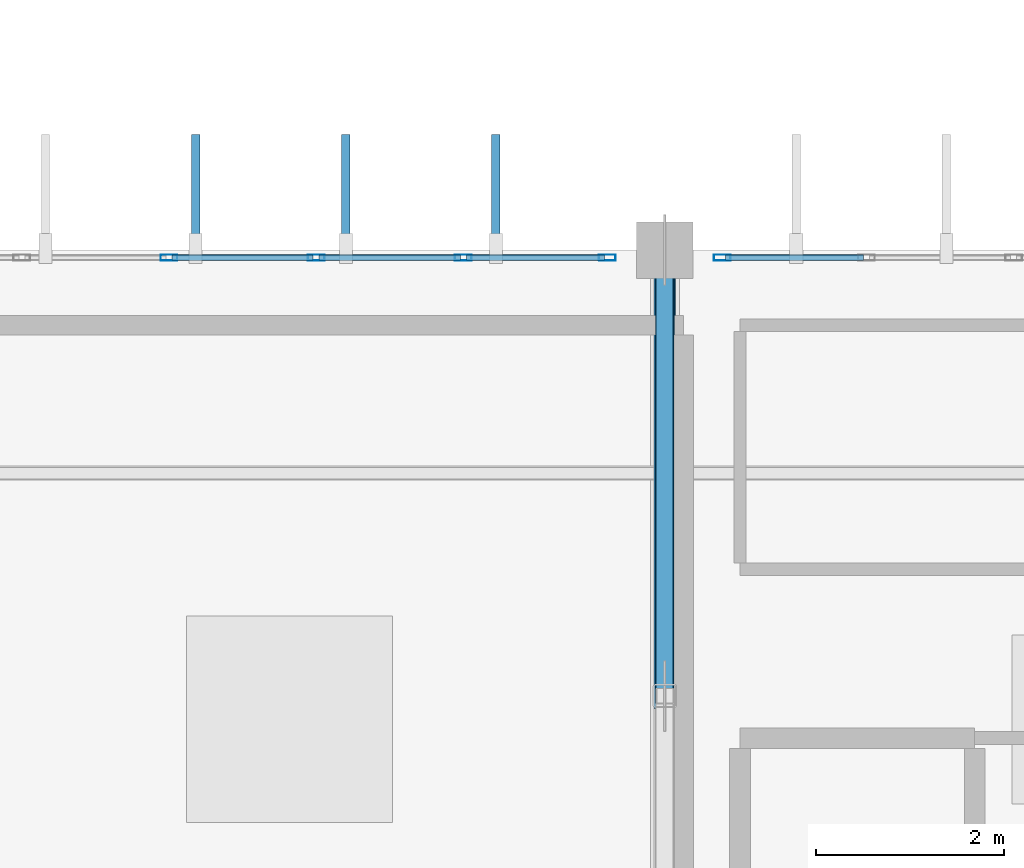
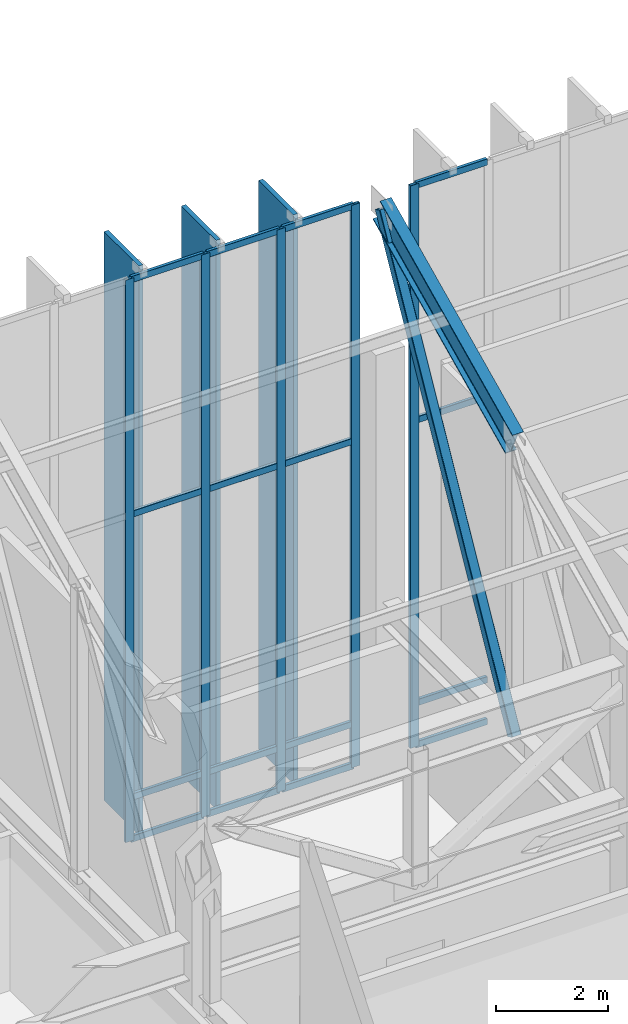
# One storey, part 35 of 68: 25 members, 1 beam, 2 elements without a shape of their own.
"""IFC4 building model written with IfcOpenShell, lengths in metres."""

from ifc_helpers import new_model, si_unit, direction, frame, origin, origin_2d, place, context, subcontext, project, spatial, rectangle, hollow_rectangle, i_section, extrude, material, material_profile, profile_set, type_object, element, aggregate, save


model = new_model("IFC4")

# Units and contexts
model_context = context("Model", 3, precision=1e-05, world=origin(), true_north=direction((0.0, 1.0)))
body_context = subcontext(model_context, "Body", "Model", "MODEL_VIEW")
ifc_project = project(units=[si_unit("LENGTHUNIT", "METRE"), si_unit("AREAUNIT", "SQUARE_METRE"), si_unit("VOLUMEUNIT", "CUBIC_METRE"), si_unit("PLANEANGLEUNIT", "RADIAN"), si_unit("MASSUNIT", "GRAM", prefix="KILO")], contexts=[model_context])

# Site, building, storey
site_placement = place(None, origin())
site = spatial("IfcSite", under=ifc_project, at=site_placement, CompositionType="ELEMENT")
building_placement = place(site_placement, origin())
building = spatial("IfcBuilding", under=site, at=building_placement, Name="Miravela Opera House", CompositionType="ELEMENT")
storey_placement = place(building_placement, frame((0.0, 0.0, 21.760009765625)))
storey = spatial("IfcBuildingStorey", under=building, at=storey_placement, Name="L05", CompositionType="ELEMENT", Elevation=21.760009765625)

# Curtain wall, members
ifc_material_1 = material(Name="Anodised architectural bronze aluminium 6063-T6", Category="aluminium")
curtain_wall_type = type_object("IfcCurtainWallType", Name="ARC-CW-03", PredefinedType="NOTDEFINED", material=ifc_material_1)
curtain_wall_1_placement = place(storey_placement, origin())
curtain_wall_1 = element("IfcCurtainWall", 1, at=curtain_wall_1_placement, inside=storey, type_object=curtain_wall_type, Name="Auditorium North Wrapper Glazing CW-L05-059", PredefinedType="NOTDEFINED")
ifc_material_profile_1 = material_profile(ifc_material_1, hollow_rectangle(XDim=0.06494140625, YDim=0.179931640625, WallThickness=0.00390625, InnerFilletRadius=0.001953125, OuterFilletRadius=0.00390625, at=origin_2d()), Name="CWM-65X180")
ifc_profile_set_1 = profile_set([ifc_material_profile_1])
member_type_1 = type_object("IfcMemberType", Name="ARC-CWM-180", PredefinedType="MULLION", material=ifc_profile_set_1)
member_1_placement = place(storey_placement, frame((30.716064453125, 74.919921875, 0.0), z_axis=(0.0, 0.0, 1.0), x_axis=(0.0, 1.0, 0.0)))
member_1 = element("IfcMember", 2, at=member_1_placement, type_object=member_type_1, Name="CW-03 mullion 3", PredefinedType="MULLION", context=body_context, shape_type="SweptSolid", body=[
    extrude(hollow_rectangle(XDim=0.06494140625, YDim=0.179931640625, WallThickness=0.00390625, InnerFilletRadius=0.001953125, OuterFilletRadius=0.00390625, at=origin_2d()), origin(), (0.0, 0.0, 1.0), 12.31005859375),
])
member_2_placement = place(storey_placement, frame((32.283935546875, 74.919921875, 0.0), z_axis=(0.0, 0.0, 1.0), x_axis=(0.0, 1.0, 0.0)))
member_2 = element("IfcMember", 3, at=member_2_placement, type_object=member_type_1, Name="CW-03 mullion 4", PredefinedType="MULLION", context=body_context, shape_type="SweptSolid", body=[
    extrude(hollow_rectangle(XDim=0.06494140625, YDim=0.179931640625, WallThickness=0.00390625, InnerFilletRadius=0.001953125, OuterFilletRadius=0.00390625, at=origin_2d()), origin(), (0.0, 0.0, 1.0), 12.31005859375),
])
member_3_placement = place(storey_placement, frame((33.85205078125, 74.919921875, 0.0), z_axis=(0.0, 0.0, 1.0), x_axis=(0.0, 1.0, 0.0)))
member_3 = element("IfcMember", 4, at=member_3_placement, type_object=member_type_1, Name="CW-03 mullion 5", PredefinedType="MULLION", context=body_context, shape_type="SweptSolid", body=[
    extrude(hollow_rectangle(XDim=0.06494140625, YDim=0.179931640625, WallThickness=0.00390625, InnerFilletRadius=0.001953125, OuterFilletRadius=0.00390625, at=origin_2d()), origin(), (0.0, 0.0, 1.0), 12.31005859375),
])
member_4_placement = place(storey_placement, frame((35.387451171875, 74.919921875, 0.0), z_axis=(0.0, 0.0, 1.0), x_axis=(0.0, 1.0, 0.0)))
member_4 = element("IfcMember", 5, at=member_4_placement, type_object=member_type_1, Name="CW-03 mullion 6", PredefinedType="MULLION", context=body_context, shape_type="SweptSolid", body=[
    extrude(hollow_rectangle(XDim=0.06494140625, YDim=0.179931640625, WallThickness=0.00390625, InnerFilletRadius=0.001953125, OuterFilletRadius=0.00390625, at=origin_2d()), origin(), (0.0, 0.0, 1.0), 12.31005859375),
])

# Curtain wall, member
curtain_wall_2_placement = place(storey_placement, origin())
curtain_wall_2 = element("IfcCurtainWall", 6, at=curtain_wall_2_placement, inside=storey, type_object=curtain_wall_type, Name="Auditorium North Wrapper Glazing CW-L05-061", PredefinedType="NOTDEFINED")
member_5_placement = place(storey_placement, frame((36.612548828125, 74.919921875, 0.0), z_axis=(0.0, 0.0, 1.0), x_axis=(0.0, 1.0, 0.0)))
member_5 = element("IfcMember", 7, at=member_5_placement, type_object=member_type_1, Name="CW-03 mullion 1", PredefinedType="MULLION", context=body_context, shape_type="SweptSolid", body=[
    extrude(hollow_rectangle(XDim=0.06494140625, YDim=0.179931640625, WallThickness=0.00390625, InnerFilletRadius=0.001953125, OuterFilletRadius=0.00390625, at=origin_2d()), origin(), (0.0, 0.0, 1.0), 12.31005859375),
])

# Member
ifc_material_profile_2 = material_profile(ifc_material_1, hollow_rectangle(XDim=0.06494140625, YDim=0.139892578125, WallThickness=0.00390625, InnerFilletRadius=0.001953125, OuterFilletRadius=0.00390625, at=origin_2d()), Name="CWT-65X140")
ifc_profile_set_2 = profile_set([ifc_material_profile_2])
member_type_2 = type_object("IfcMemberType", Name="ARC-CWT-140", PredefinedType="USERDEFINED", material=ifc_profile_set_2)
member_6_placement = place(storey_placement, frame((30.74853515625, 74.919921875, 0.032470703125), z_axis=(1.0, 0.0, 0.0), x_axis=(0.0, 1.0, 0.0)))
member_6 = element("IfcMember", 8, at=member_6_placement, type_object=member_type_2, Name="CW-03 transom 3.1", ObjectType="TRANSOM", PredefinedType="USERDEFINED", context=body_context, shape_type="SweptSolid", body=[
    extrude(hollow_rectangle(XDim=0.06494140625, YDim=0.139892578125, WallThickness=0.00390625, InnerFilletRadius=0.001953125, OuterFilletRadius=0.00390625, at=origin_2d()), origin(), (0.0, 0.0, 1.0), 1.5029296875),
])

member_7_placement = place(storey_placement, frame((30.74853515625, 74.919921875, 0.949951171875), z_axis=(1.0, 0.0, 0.0), x_axis=(0.0, 1.0, 0.0)))
member_7 = element("IfcMember", 9, at=member_7_placement, type_object=member_type_2, Name="CW-03 transom 3.2", ObjectType="TRANSOM", PredefinedType="USERDEFINED", context=body_context, shape_type="SweptSolid", body=[
    extrude(hollow_rectangle(XDim=0.06494140625, YDim=0.139892578125, WallThickness=0.00390625, InnerFilletRadius=0.001953125, OuterFilletRadius=0.00390625, at=origin_2d()), origin(), (0.0, 0.0, 1.0), 1.5029296875),
])

member_8_placement = place(storey_placement, frame((30.74853515625, 74.919921875, 7.139892578125), z_axis=(1.0, 0.0, 0.0), x_axis=(0.0, 1.0, 0.0)))
member_8 = element("IfcMember", 10, at=member_8_placement, type_object=member_type_2, Name="CW-03 transom 3.3", ObjectType="TRANSOM", PredefinedType="USERDEFINED", context=body_context, shape_type="SweptSolid", body=[
    extrude(hollow_rectangle(XDim=0.06494140625, YDim=0.139892578125, WallThickness=0.00390625, InnerFilletRadius=0.001953125, OuterFilletRadius=0.00390625, at=origin_2d()), origin(), (0.0, 0.0, 1.0), 1.5029296875),
])

member_9_placement = place(storey_placement, frame((30.74853515625, 74.919921875, 12.277587890625), z_axis=(1.0, 0.0, 0.0), x_axis=(0.0, 1.0, 0.0)))
member_9 = element("IfcMember", 11, at=member_9_placement, type_object=member_type_2, Name="CW-03 transom 3.4", ObjectType="TRANSOM", PredefinedType="USERDEFINED", context=body_context, shape_type="SweptSolid", body=[
    extrude(hollow_rectangle(XDim=0.06494140625, YDim=0.139892578125, WallThickness=0.00390625, InnerFilletRadius=0.001953125, OuterFilletRadius=0.00390625, at=origin_2d()), origin(), (0.0, 0.0, 1.0), 1.5029296875),
])

member_10_placement = place(storey_placement, frame((32.31640625, 74.919921875, 0.032470703125), z_axis=(1.0, 0.0, 0.0), x_axis=(0.0, 1.0, 0.0)))
member_10 = element("IfcMember", 12, at=member_10_placement, type_object=member_type_2, Name="CW-03 transom 4.1", ObjectType="TRANSOM", PredefinedType="USERDEFINED", context=body_context, shape_type="SweptSolid", body=[
    extrude(hollow_rectangle(XDim=0.06494140625, YDim=0.139892578125, WallThickness=0.00390625, InnerFilletRadius=0.001953125, OuterFilletRadius=0.00390625, at=origin_2d()), origin(), (0.0, 0.0, 1.0), 1.503173828125),
])

member_11_placement = place(storey_placement, frame((32.31640625, 74.919921875, 0.949951171875), z_axis=(1.0, 0.0, 0.0), x_axis=(0.0, 1.0, 0.0)))
member_11 = element("IfcMember", 13, at=member_11_placement, type_object=member_type_2, Name="CW-03 transom 4.2", ObjectType="TRANSOM", PredefinedType="USERDEFINED", context=body_context, shape_type="SweptSolid", body=[
    extrude(hollow_rectangle(XDim=0.06494140625, YDim=0.139892578125, WallThickness=0.00390625, InnerFilletRadius=0.001953125, OuterFilletRadius=0.00390625, at=origin_2d()), origin(), (0.0, 0.0, 1.0), 1.503173828125),
])

member_12_placement = place(storey_placement, frame((32.31640625, 74.919921875, 7.139892578125), z_axis=(1.0, 0.0, 0.0), x_axis=(0.0, 1.0, 0.0)))
member_12 = element("IfcMember", 14, at=member_12_placement, type_object=member_type_2, Name="CW-03 transom 4.3", ObjectType="TRANSOM", PredefinedType="USERDEFINED", context=body_context, shape_type="SweptSolid", body=[
    extrude(hollow_rectangle(XDim=0.06494140625, YDim=0.139892578125, WallThickness=0.00390625, InnerFilletRadius=0.001953125, OuterFilletRadius=0.00390625, at=origin_2d()), origin(), (0.0, 0.0, 1.0), 1.503173828125),
])

member_13_placement = place(storey_placement, frame((32.31640625, 74.919921875, 12.277587890625), z_axis=(1.0, 0.0, 0.0), x_axis=(0.0, 1.0, 0.0)))
member_13 = element("IfcMember", 15, at=member_13_placement, type_object=member_type_2, Name="CW-03 transom 4.4", ObjectType="TRANSOM", PredefinedType="USERDEFINED", context=body_context, shape_type="SweptSolid", body=[
    extrude(hollow_rectangle(XDim=0.06494140625, YDim=0.139892578125, WallThickness=0.00390625, InnerFilletRadius=0.001953125, OuterFilletRadius=0.00390625, at=origin_2d()), origin(), (0.0, 0.0, 1.0), 1.503173828125),
])

member_14_placement = place(storey_placement, frame((33.884521484375, 74.919921875, 0.032470703125), z_axis=(1.0, 0.0, 0.0), x_axis=(0.0, 1.0, 0.0)))
member_14 = element("IfcMember", 16, at=member_14_placement, type_object=member_type_2, Name="CW-03 transom 5.1", ObjectType="TRANSOM", PredefinedType="USERDEFINED", context=body_context, shape_type="SweptSolid", body=[
    extrude(hollow_rectangle(XDim=0.06494140625, YDim=0.139892578125, WallThickness=0.00390625, InnerFilletRadius=0.001953125, OuterFilletRadius=0.00390625, at=origin_2d()), origin(), (0.0, 0.0, 1.0), 1.470458984375),
])

member_15_placement = place(storey_placement, frame((33.884521484375, 74.919921875, 0.949951171875), z_axis=(1.0, 0.0, 0.0), x_axis=(0.0, 1.0, 0.0)))
member_15 = element("IfcMember", 17, at=member_15_placement, type_object=member_type_2, Name="CW-03 transom 5.2", ObjectType="TRANSOM", PredefinedType="USERDEFINED", context=body_context, shape_type="SweptSolid", body=[
    extrude(hollow_rectangle(XDim=0.06494140625, YDim=0.139892578125, WallThickness=0.00390625, InnerFilletRadius=0.001953125, OuterFilletRadius=0.00390625, at=origin_2d()), origin(), (0.0, 0.0, 1.0), 1.470458984375),
])

member_16_placement = place(storey_placement, frame((33.884521484375, 74.919921875, 7.139892578125), z_axis=(1.0, 0.0, 0.0), x_axis=(0.0, 1.0, 0.0)))
member_16 = element("IfcMember", 18, at=member_16_placement, type_object=member_type_2, Name="CW-03 transom 5.3", ObjectType="TRANSOM", PredefinedType="USERDEFINED", context=body_context, shape_type="SweptSolid", body=[
    extrude(hollow_rectangle(XDim=0.06494140625, YDim=0.139892578125, WallThickness=0.00390625, InnerFilletRadius=0.001953125, OuterFilletRadius=0.00390625, at=origin_2d()), origin(), (0.0, 0.0, 1.0), 1.470458984375),
])

member_17_placement = place(storey_placement, frame((33.884521484375, 74.919921875, 12.277587890625), z_axis=(1.0, 0.0, 0.0), x_axis=(0.0, 1.0, 0.0)))
member_17 = element("IfcMember", 19, at=member_17_placement, type_object=member_type_2, Name="CW-03 transom 5.4", ObjectType="TRANSOM", PredefinedType="USERDEFINED", context=body_context, shape_type="SweptSolid", body=[
    extrude(hollow_rectangle(XDim=0.06494140625, YDim=0.139892578125, WallThickness=0.00390625, InnerFilletRadius=0.001953125, OuterFilletRadius=0.00390625, at=origin_2d()), origin(), (0.0, 0.0, 1.0), 1.470458984375),
])

aggregate(curtain_wall_1, [member_1, member_2, member_3, member_4, member_6, member_7, member_8, member_9, member_10, member_11, member_12, member_13, member_14, member_15, member_16, member_17])

member_18_placement = place(storey_placement, frame((36.64501953125, 74.919921875, 0.032470703125), z_axis=(1.0, 0.0, 0.0), x_axis=(0.0, 1.0, 0.0)))
member_18 = element("IfcMember", 20, at=member_18_placement, type_object=member_type_2, Name="CW-03 transom 1.1", ObjectType="TRANSOM", PredefinedType="USERDEFINED", context=body_context, shape_type="SweptSolid", body=[
    extrude(hollow_rectangle(XDim=0.06494140625, YDim=0.139892578125, WallThickness=0.00390625, InnerFilletRadius=0.001953125, OuterFilletRadius=0.00390625, at=origin_2d()), origin(), (0.0, 0.0, 1.0), 1.470458984375),
])

member_19_placement = place(storey_placement, frame((36.64501953125, 74.919921875, 0.949951171875), z_axis=(1.0, 0.0, 0.0), x_axis=(0.0, 1.0, 0.0)))
member_19 = element("IfcMember", 21, at=member_19_placement, type_object=member_type_2, Name="CW-03 transom 1.2", ObjectType="TRANSOM", PredefinedType="USERDEFINED", context=body_context, shape_type="SweptSolid", body=[
    extrude(hollow_rectangle(XDim=0.06494140625, YDim=0.139892578125, WallThickness=0.00390625, InnerFilletRadius=0.001953125, OuterFilletRadius=0.00390625, at=origin_2d()), origin(), (0.0, 0.0, 1.0), 1.470458984375),
])

member_20_placement = place(storey_placement, frame((36.64501953125, 74.919921875, 7.139892578125), z_axis=(1.0, 0.0, 0.0), x_axis=(0.0, 1.0, 0.0)))
member_20 = element("IfcMember", 22, at=member_20_placement, type_object=member_type_2, Name="CW-03 transom 1.3", ObjectType="TRANSOM", PredefinedType="USERDEFINED", context=body_context, shape_type="SweptSolid", body=[
    extrude(hollow_rectangle(XDim=0.06494140625, YDim=0.139892578125, WallThickness=0.00390625, InnerFilletRadius=0.001953125, OuterFilletRadius=0.00390625, at=origin_2d()), origin(), (0.0, 0.0, 1.0), 1.470458984375),
])

member_21_placement = place(storey_placement, frame((36.64501953125, 74.919921875, 12.277587890625), z_axis=(1.0, 0.0, 0.0), x_axis=(0.0, 1.0, 0.0)))
member_21 = element("IfcMember", 23, at=member_21_placement, type_object=member_type_2, Name="CW-03 transom 1.4", ObjectType="TRANSOM", PredefinedType="USERDEFINED", context=body_context, shape_type="SweptSolid", body=[
    extrude(hollow_rectangle(XDim=0.06494140625, YDim=0.139892578125, WallThickness=0.00390625, InnerFilletRadius=0.001953125, OuterFilletRadius=0.00390625, at=origin_2d()), origin(), (0.0, 0.0, 1.0), 1.470458984375),
])

aggregate(curtain_wall_2, [member_5, member_18, member_19, member_20, member_21])

# Members
ifc_material_profile_3 = material_profile(ifc_material_1, rectangle(XDim=0.090087890625, YDim=1.25, at=origin_2d()), Name="FIN-1250X90")
ifc_profile_set_3 = profile_set([ifc_material_profile_3])
member_type_3 = type_object("IfcMemberType", Name="ARC-FIN-1250", PredefinedType="USERDEFINED", material=ifc_profile_set_3)
for number, where, z_axis, x_axis, name in (
    (24, (31.0, 75.60498046875, 0.0), (0.0, 0.0, 1.0), (1.0, 0.0, 0.0), "Auditorium Wrapper Bronze Solar Fin FIN-L05-NORTH-0181"),
    (25, (32.60009765625, 75.60498046875, 0.0), (0.0, 0.0, 1.0), (1.0, 0.0, 0.0), "Auditorium Wrapper Bronze Solar Fin FIN-L05-NORTH-0183"),
    (26, (34.199951171875, 75.60498046875, 0.0), (0.0, 0.0, 1.0), (1.0, 0.0, 0.0), "Auditorium Wrapper Bronze Solar Fin FIN-L05-NORTH-0185"),
):
    element("IfcMember", number, at=place(storey_placement, frame(where, z_axis=z_axis, x_axis=x_axis)), inside=storey, type_object=member_type_3, Name=name, ObjectType="FIN", PredefinedType="USERDEFINED", context=body_context, shape_type="SweptSolid", body=[
        extrude(rectangle(XDim=0.090087890625, YDim=1.25, at=origin_2d()), origin(), (0.0, 0.0, 1.0), 12.449951171875),
    ])

# Beam
ifc_material_2 = material(Name="Structural steel ASTM A992 Gr. 50", Category="steel")
ifc_material_profile_4 = material_profile(ifc_material_2, i_section(OverallWidth=0.22998046875, OverallDepth=0.616943359375, WebThickness=0.01318359375, FlangeThickness=0.022216796875, FilletRadius=0.01806640625, at=origin_2d()), Name="W610X140")
ifc_profile_set_4 = profile_set([ifc_material_profile_4])
beam_type = type_object("IfcBeamType", Name="STR-BM-W610X140", PredefinedType="BEAM", material=ifc_profile_set_4)
beam_placement = place(storey_placement, frame((36.0, 70.25, 9.689453125), z_axis=(0.0, 0.903737838894, 0.428086344739), x_axis=(-1.0, 0.0, 0.0)))
element("IfcBeam", 27, at=beam_placement, inside=storey, type_object=beam_type, Name="V-Crest Roof Rafter Girder X=36 Seg 8", PredefinedType="BEAM", context=body_context, shape_type="SweptSolid", body=[
    extrude(i_section(OverallWidth=0.22998046875, OverallDepth=0.616943359375, WebThickness=0.01318359375, FlangeThickness=0.022216796875, FilletRadius=0.01806640625, at=origin_2d()), origin(), (0.0, 0.0, 1.0), 5.255859375),
])

# Member
ifc_material_3 = material(Name="Hollow structural steel ASTM A500 Gr. C", Category="steel")
ifc_material_profile_5 = material_profile(ifc_material_3, hollow_rectangle(XDim=0.199951171875, YDim=0.199951171875, WallThickness=0.010009765625, InnerFilletRadius=0.010009765625, OuterFilletRadius=0.02001953125, at=origin_2d()), Name="HSS200X200X10")
ifc_profile_set_5 = profile_set([ifc_material_profile_5])
member_type_4 = type_object("IfcMemberType", Name="STR-MEM-WEDGE-WEB", PredefinedType="BRACE", material=ifc_profile_set_5)
member_22_placement = place(storey_placement, frame((36.0, 70.25, 3.280029296875), z_axis=(0.0, 0.480911686794, 0.876769040001), x_axis=(-1.0, 0.0, 0.0)))
element("IfcMember", 28, at=member_22_placement, inside=storey, type_object=member_type_4, Name="V-Crest Roof Truss Web Diagonal X=36 Bay 8", PredefinedType="BRACE", context=body_context, shape_type="SweptSolid", body=[
    extrude(hollow_rectangle(XDim=0.199951171875, YDim=0.199951171875, WallThickness=0.010009765625, InnerFilletRadius=0.010009765625, OuterFilletRadius=0.02001953125, at=origin_2d()), origin(), (0.0, 0.0, 1.0), 9.876953125),
])

save(model, "model.ifc")
